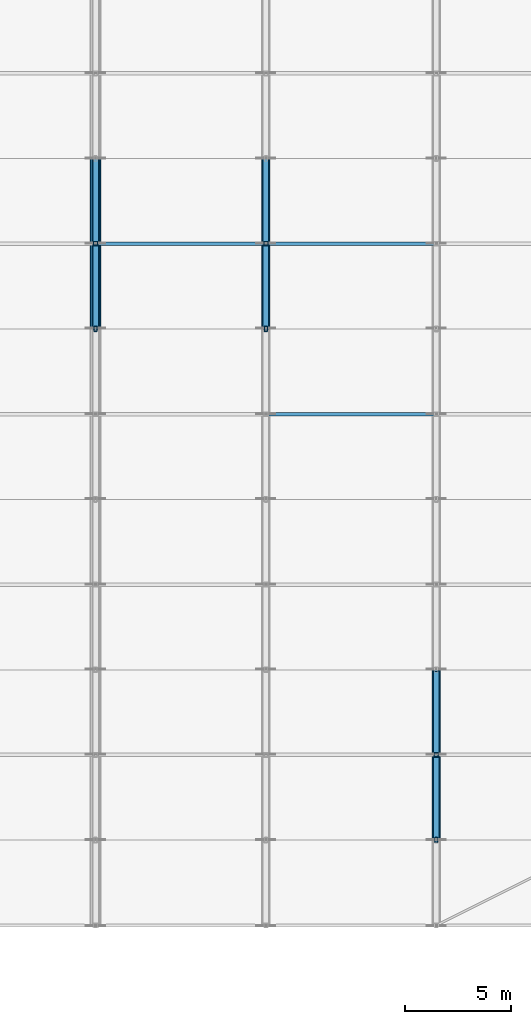
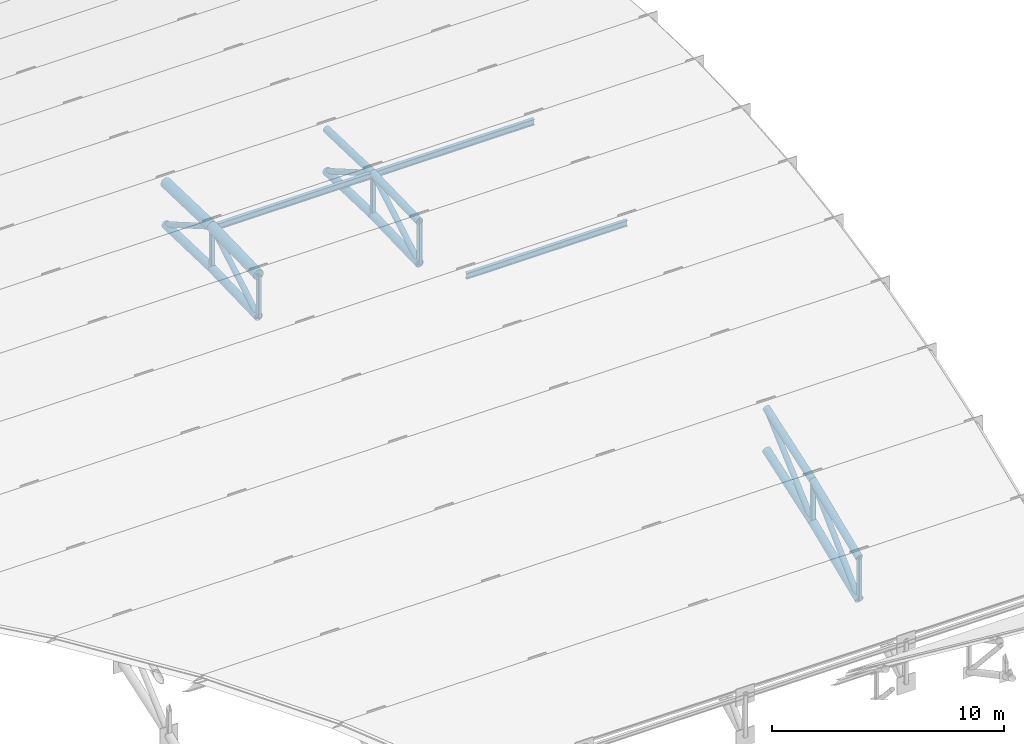
# One storey, part 49 of 98: 27 members.
"""IFC4 building model written with IfcOpenShell, lengths in metres."""

from ifc_helpers import new_model, si_unit, direction, frame, origin, origin_2d, place, context, subcontext, project, spatial, hollow_rectangle, hollow_circle, i_section, extrude, material, material_profile, profile_set, type_object, element, save


model = new_model("IFC4")

# Units and contexts
model_context = context("Model", 3, precision=1e-05, world=origin(), true_north=direction((0.0, 1.0)))
body_context = subcontext(model_context, "Body", "Model", "MODEL_VIEW")
ifc_project = project(units=[si_unit("LENGTHUNIT", "METRE"), si_unit("AREAUNIT", "SQUARE_METRE"), si_unit("VOLUMEUNIT", "CUBIC_METRE"), si_unit("PLANEANGLEUNIT", "RADIAN"), si_unit("MASSUNIT", "GRAM", prefix="KILO")], contexts=[model_context])

# Site, building, storey
site_placement = place(None, origin())
site = spatial("IfcSite", under=ifc_project, at=site_placement, CompositionType="ELEMENT")
building_placement = place(site_placement, origin())
building = spatial("IfcBuilding", under=site, at=building_placement, Name="Tlacozan Convention Centre", CompositionType="ELEMENT")
storey_placement = place(building_placement, frame((0.0, 0.0, 25.800048828125)))
storey = spatial("IfcBuildingStorey", under=building, at=storey_placement, Name="Roof", CompositionType="ELEMENT", Elevation=25.800048828125)

# Members
ifc_material_1 = material(Name="Steel ASTM A500 Grade C", Category="steel")
ifc_material_profile_1 = material_profile(ifc_material_1, hollow_circle(Radius=0.203125, WallThickness=0.015869140625, at=origin_2d()), Name="OC 406.4x15.9")
ifc_profile_set_1 = profile_set([ifc_material_profile_1], Name="Steel ASTM A500 Grade C")
member_type_1 = type_object("IfcMemberType", Name="Arch Bottom Chord OC 406.4x15.9", PredefinedType="CHORD", material=ifc_profile_set_1)
for number, where, z_axis, x_axis, name in (
    (1, (144.0, 90.0, -4.917724609375), (0.0, 0.999567543518, 0.029406222899), (-1.0, 0.0, 0.0), "V2A Roof Truss 19 Bottom Chord 8"),
    (2, (144.0, 94.0, -4.800048828125), (0.0, 0.999567543518, -0.029406222899), (-1.0, 0.0, 0.0), "V2A Roof Truss 19 Bottom Chord 9"),
    (3, (152.0, 90.0, -4.917724609375), (0.0, 0.999567543518, 0.029406222899), (-1.0, 0.0, 0.0), "V2A Roof Truss 20 Bottom Chord 8"),
    (4, (152.0, 94.0, -4.800048828125), (0.0, 0.999567543518, -0.029406222899), (-1.0, 0.0, 0.0), "V2A Roof Truss 20 Bottom Chord 9"),
):
    element("IfcMember", number, at=place(storey_placement, frame(where, z_axis=z_axis, x_axis=x_axis)), inside=storey, type_object=member_type_1, Name=name, PredefinedType="CHORD", context=body_context, shape_type="SweptSolid", body=[
        extrude(hollow_circle(Radius=0.203125, WallThickness=0.015869140625, at=origin_2d()), origin(), (0.0, 0.0, 1.0), 4.001708984375),
    ])
member_1_placement = place(storey_placement, frame((160.0, 66.0, -10.832275390625), z_axis=(0.0, 0.923948802258, 0.382516157575), x_axis=(-1.0, 0.0, 0.0)))
element("IfcMember", 5, at=member_1_placement, inside=storey, type_object=member_type_1, Name="V2A Roof Truss 21 Bottom Chord 2", PredefinedType="CHORD", context=body_context, shape_type="SweptSolid", body=[
    extrude(hollow_circle(Radius=0.203125, WallThickness=0.015869140625, at=origin_2d()), origin(), (0.0, 0.0, 1.0), 4.329345703125),
])
member_2_placement = place(storey_placement, frame((160.0, 70.0, -9.17626953125), z_axis=(0.0, 0.946164915813, 0.323684958077), x_axis=(-1.0, 0.0, 0.0)))
element("IfcMember", 6, at=member_2_placement, inside=storey, type_object=member_type_1, Name="V2A Roof Truss 21 Bottom Chord 3", PredefinedType="CHORD", context=body_context, shape_type="SweptSolid", body=[
    extrude(hollow_circle(Radius=0.203125, WallThickness=0.015869140625, at=origin_2d()), origin(), (0.0, 0.0, 1.0), 4.2275390625),
])
ifc_material_profile_2 = material_profile(ifc_material_1, hollow_circle(Radius=0.25390625, WallThickness=0.01904296875, at=origin_2d()), Name="OC 508.0x19.1")
ifc_profile_set_2 = profile_set([ifc_material_profile_2], Name="Steel ASTM A500 Grade C")
member_type_2 = type_object("IfcMemberType", Name="Arch Top Chord OC 508x19.1", PredefinedType="CHORD", material=ifc_profile_set_2)
for number, where, z_axis, x_axis, name in (
    (7, (144.0, 90.0, -2.7177734375), (0.0, 0.999567543518, 0.029406222899), (-1.0, 0.0, 0.0), "V2A Roof Truss 19 Top Chord 8"),
    (8, (144.0, 94.0, -2.60009765625), (0.0, 0.999567543518, -0.029406222899), (-1.0, 0.0, 0.0), "V2A Roof Truss 19 Top Chord 9"),
):
    element("IfcMember", number, at=place(storey_placement, frame(where, z_axis=z_axis, x_axis=x_axis)), inside=storey, type_object=member_type_2, Name=name, PredefinedType="CHORD", context=body_context, shape_type="SweptSolid", body=[
        extrude(hollow_circle(Radius=0.25390625, WallThickness=0.01904296875, at=origin_2d()), origin(), (0.0, 0.0, 1.0), 4.001708984375),
    ])
ifc_material_profile_3 = material_profile(ifc_material_1, hollow_circle(Radius=0.136474609375, WallThickness=0.0126953125, at=origin_2d()), Name="OC 273.1x12.7")
ifc_profile_set_3 = profile_set([ifc_material_profile_3], Name="Steel ASTM A500 Grade C")
member_type_3 = type_object("IfcMemberType", Name="Arch Web Diagonal OC 273.1x12.7", PredefinedType="BRACE", material=ifc_profile_set_3)
for number, where, z_axis, x_axis, name in (
    (9, (144.0, 90.0, -4.917724609375), (0.0, 0.865253886656, 0.501333932252), (-1.0, 0.0, 0.0), "V2A Roof Truss 19 Web Diagonal 8"),
    (10, (144.0, 94.0, -2.60009765625), (0.0, 0.865253886656, -0.501333932252), (-1.0, 0.0, 0.0), "V2A Roof Truss 19 Web Diagonal 9"),
    (11, (152.0, 90.0, -4.917724609375), (0.0, 0.865253886656, 0.501333932252), (-1.0, 0.0, 0.0), "V2A Roof Truss 20 Web Diagonal 8"),
    (12, (152.0, 94.0, -2.60009765625), (0.0, 0.865253886656, -0.501333932252), (-1.0, 0.0, 0.0), "V2A Roof Truss 20 Web Diagonal 9"),
):
    element("IfcMember", number, at=place(storey_placement, frame(where, z_axis=z_axis, x_axis=x_axis)), inside=storey, type_object=member_type_3, Name=name, PredefinedType="BRACE", context=body_context, shape_type="SweptSolid", body=[
        extrude(hollow_circle(Radius=0.136474609375, WallThickness=0.0126953125, at=origin_2d()), origin(), (0.0, 0.0, 1.0), 4.622802734375),
    ])
member_3_placement = place(storey_placement, frame((160.0, 66.0, -10.832275390625), z_axis=(0.0, 0.719928977367, 0.694047741547), x_axis=(-1.0, 0.0, 0.0)))
element("IfcMember", 13, at=member_3_placement, inside=storey, type_object=member_type_3, Name="V2A Roof Truss 21 Web Diagonal 2", PredefinedType="BRACE", context=body_context, shape_type="SweptSolid", body=[
    extrude(hollow_circle(Radius=0.136474609375, WallThickness=0.0126953125, at=origin_2d()), origin(), (0.0, 0.0, 1.0), 5.55615234375),
])
member_4_placement = place(storey_placement, frame((160.0, 70.0, -9.17626953125), z_axis=(0.0, 0.746199427712, 0.665722475272), x_axis=(-1.0, 0.0, 0.0)))
element("IfcMember", 14, at=member_4_placement, inside=storey, type_object=member_type_3, Name="V2A Roof Truss 21 Web Diagonal 3", PredefinedType="BRACE", context=body_context, shape_type="SweptSolid", body=[
    extrude(hollow_circle(Radius=0.136474609375, WallThickness=0.0126953125, at=origin_2d()), origin(), (0.0, 0.0, 1.0), 5.360595703125),
])
ifc_material_profile_4 = material_profile(ifc_material_1, hollow_rectangle(XDim=0.203125, YDim=0.203125, WallThickness=0.0126953125, InnerFilletRadius=0.0126953125, OuterFilletRadius=0.02490234375, at=origin_2d()), Name="OR 203x203x12.7")
ifc_profile_set_4 = profile_set([ifc_material_profile_4], Name="Steel ASTM A500 Grade C")
member_type_4 = type_object("IfcMemberType", Name="Arch Web Strut OR 203x203x12.7", PredefinedType="STRUT", material=ifc_profile_set_4)
for number, where, z_axis, x_axis, name in (
    (15, (144.0, 94.0, -4.800048828125), (0.0, 0.0, 1.0), (1.0, 0.0, 0.0), "V2A Roof Truss 19 Vertical Strut 9"),
    (16, (152.0, 94.0, -4.800048828125), (0.0, 0.0, 1.0), (1.0, 0.0, 0.0), "V2A Roof Truss 20 Vertical Strut 9"),
):
    element("IfcMember", number, at=place(storey_placement, frame(where, z_axis=z_axis, x_axis=x_axis)), inside=storey, type_object=member_type_4, Name=name, PredefinedType="STRUT", context=body_context, shape_type="SweptSolid", body=[
        extrude(hollow_rectangle(XDim=0.203125, YDim=0.203125, WallThickness=0.0126953125, InnerFilletRadius=0.0126953125, OuterFilletRadius=0.02490234375, at=origin_2d()), origin(), (0.0, 0.0, 1.0), 2.199951171875),
    ])
member_5_placement = place(storey_placement, frame((160.0, 70.0, -9.17626953125), z_axis=(0.0, 0.0, 1.0), x_axis=(1.0, 0.0, 0.0)))
element("IfcMember", 17, at=member_5_placement, inside=storey, type_object=member_type_4, Name="V2A Roof Truss 21 Vertical Strut 3", PredefinedType="STRUT", context=body_context, shape_type="SweptSolid", body=[
    extrude(hollow_rectangle(XDim=0.203125, YDim=0.203125, WallThickness=0.0126953125, InnerFilletRadius=0.0126953125, OuterFilletRadius=0.02490234375, at=origin_2d()), origin(), (0.0, 0.0, 1.0), 2.2001953125),
])
ifc_material_2 = material(Name="Steel ASTM A992 Grade 50", Category="steel")
ifc_material_profile_5 = material_profile(ifc_material_2, i_section(OverallWidth=0.1669921875, OverallDepth=0.31689453125, WebThickness=0.007568359375, FlangeThickness=0.01318359375, FilletRadius=0.010009765625, at=origin_2d()), Name="IR 305x52.2")
ifc_profile_set_5 = profile_set([ifc_material_profile_5], Name="Steel ASTM A992 Grade 50")
member_type_5 = type_object("IfcMemberType", Name="Roof Purlin IR 305x52.2", PredefinedType="PURLIN", material=ifc_profile_set_5)
for number, where, z_axis, x_axis, name in (
    (18, (144.0, 94.0, -2.6650390625), (1.0, 0.0, 0.0), (0.0, 1.0, 0.0), "V2A Roof Truss Purlin 19.9"),
    (19, (152.0, 86.0, -3.13720703125), (1.0, 0.0, 0.0), (0.0, 1.0, 0.0), "V2A Roof Truss Purlin 20.7"),
    (20, (152.0, 94.0, -2.6650390625), (1.0, 0.0, 0.0), (0.0, 1.0, 0.0), "V2A Roof Truss Purlin 20.9"),
):
    element("IfcMember", number, at=place(storey_placement, frame(where, z_axis=z_axis, x_axis=x_axis)), inside=storey, type_object=member_type_5, Name=name, PredefinedType="PURLIN", context=body_context, shape_type="SweptSolid", body=[
        extrude(i_section(OverallWidth=0.1669921875, OverallDepth=0.31689453125, WebThickness=0.007568359375, FlangeThickness=0.01318359375, FilletRadius=0.010009765625, at=origin_2d()), origin(), (0.0, 0.0, 1.0), 8.0),
    ])
ifc_material_profile_6 = material_profile(ifc_material_1, hollow_circle(Radius=0.177734375, WallThickness=0.015869140625, at=origin_2d()), Name="OC 355.6x15.9")
ifc_profile_set_6 = profile_set([ifc_material_profile_6], Name="Steel ASTM A500 Grade C")
member_type_6 = type_object("IfcMemberType", Name="Secondary Arch Chord OC 355.6x15.9", PredefinedType="CHORD", material=ifc_profile_set_6)
for number, where, z_axis, x_axis, name in (
    (21, (152.0, 90.0, -2.7177734375), (0.0, 0.999567543518, 0.029406222899), (-1.0, 0.0, 0.0), "V2A Roof Truss 20 Top Chord 8"),
    (22, (152.0, 94.0, -2.60009765625), (0.0, 0.999567543518, -0.029406222899), (-1.0, 0.0, 0.0), "V2A Roof Truss 20 Top Chord 9"),
):
    element("IfcMember", number, at=place(storey_placement, frame(where, z_axis=z_axis, x_axis=x_axis)), inside=storey, type_object=member_type_6, Name=name, PredefinedType="CHORD", context=body_context, shape_type="SweptSolid", body=[
        extrude(hollow_circle(Radius=0.177734375, WallThickness=0.015869140625, at=origin_2d()), origin(), (0.0, 0.0, 1.0), 4.001708984375),
    ])
member_6_placement = place(storey_placement, frame((160.0, 66.0, -8.63232421875), z_axis=(0.0, 0.923928870591, 0.382564297979), x_axis=(-1.0, 0.0, 0.0)))
element("IfcMember", 23, at=member_6_placement, inside=storey, type_object=member_type_6, Name="V2A Roof Truss 21 Top Chord 2", PredefinedType="CHORD", context=body_context, shape_type="SweptSolid", body=[
    extrude(hollow_circle(Radius=0.177734375, WallThickness=0.015869140625, at=origin_2d()), origin(), (0.0, 0.0, 1.0), 4.329345703125),
])
member_7_placement = place(storey_placement, frame((160.0, 70.0, -6.97607421875), z_axis=(0.0, 0.946164915813, 0.323684958077), x_axis=(-1.0, 0.0, 0.0)))
element("IfcMember", 24, at=member_7_placement, inside=storey, type_object=member_type_6, Name="V2A Roof Truss 21 Top Chord 3", PredefinedType="CHORD", context=body_context, shape_type="SweptSolid", body=[
    extrude(hollow_circle(Radius=0.177734375, WallThickness=0.015869140625, at=origin_2d()), origin(), (0.0, 0.0, 1.0), 4.2275390625),
])
ifc_material_profile_7 = material_profile(ifc_material_1, hollow_rectangle(XDim=0.15234375, YDim=0.25390625, WallThickness=0.0126953125, InnerFilletRadius=0.0126953125, OuterFilletRadius=0.02490234375, at=origin_2d()), Name="OR 254x152x12.7")
ifc_profile_set_7 = profile_set([ifc_material_profile_7], Name="Steel ASTM A500 Grade C")
member_type_7 = type_object("IfcMemberType", Name="Truss Secondary Strut OR 254x152x12.7", PredefinedType="STRUT", material=ifc_profile_set_7)
for number, where, z_axis, x_axis, name in (
    (25, (144.0, 90.0, -4.917724609375), (0.0, 0.0, 1.0), (1.0, 0.0, 0.0), "V2A Roof Truss 19 Vertical Strut 8"),
    (26, (152.0, 90.0, -4.917724609375), (0.0, 0.0, 1.0), (1.0, 0.0, 0.0), "V2A Roof Truss 20 Vertical Strut 8"),
    (27, (160.0, 66.0, -10.832275390625), (0.0, 0.0, 1.0), (1.0, 0.0, 0.0), "V2A Roof Truss 21 Vertical Strut 2"),
):
    element("IfcMember", number, at=place(storey_placement, frame(where, z_axis=z_axis, x_axis=x_axis)), inside=storey, type_object=member_type_7, Name=name, PredefinedType="STRUT", context=body_context, shape_type="SweptSolid", body=[
        extrude(hollow_rectangle(XDim=0.15234375, YDim=0.25390625, WallThickness=0.0126953125, InnerFilletRadius=0.0126953125, OuterFilletRadius=0.02490234375, at=origin_2d()), origin(), (0.0, 0.0, 1.0), 2.199951171875),
    ])

save(model, "model.ifc")
